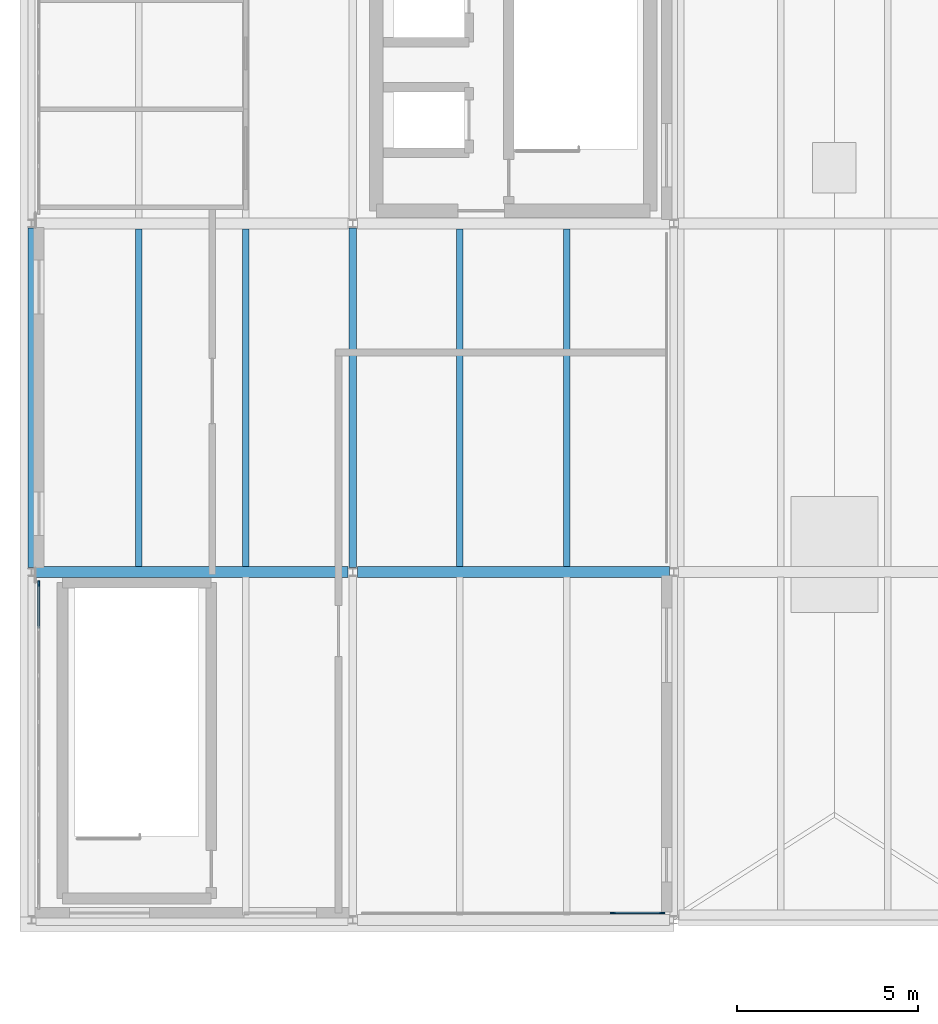
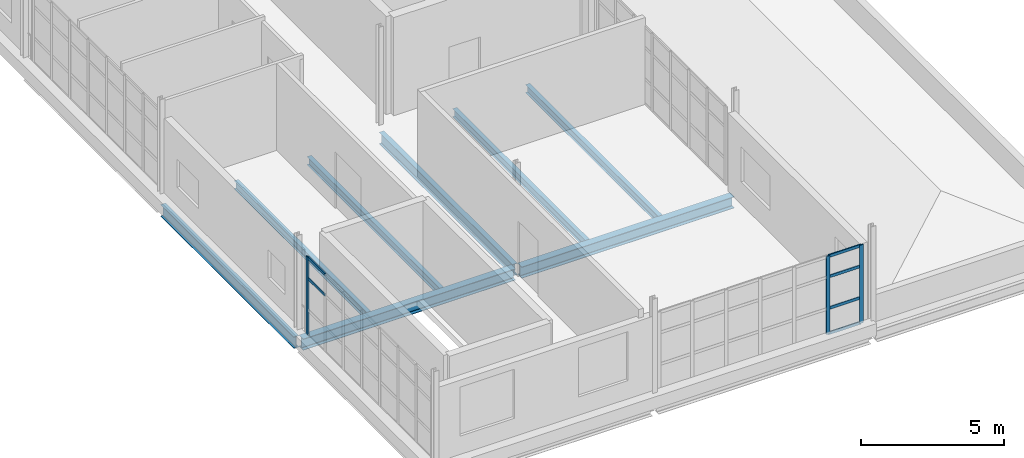
# One storey, part 4 of 16: 9 members, 8 beams, 2 elements without a shape of their own.
"""IFC4 building model written with IfcOpenShell, lengths in metres."""

from ifc_helpers import new_model, si_unit, direction, frame, origin, origin_2d, place, context, subcontext, project, spatial, rectangle, i_section, extrude, material, layer, layer_set, material_profile, profile_set, type_object, element, aggregate, save


model = new_model("IFC4")

# Units and contexts
model_context = context("Model", 3, precision=1e-05, world=origin(), true_north=direction((0.0, 1.0)))
body_context = subcontext(model_context, "Body", "Model", "MODEL_VIEW")
ifc_project = project(units=[si_unit("LENGTHUNIT", "METRE"), si_unit("AREAUNIT", "SQUARE_METRE"), si_unit("VOLUMEUNIT", "CUBIC_METRE"), si_unit("PLANEANGLEUNIT", "RADIAN"), si_unit("MASSUNIT", "GRAM", prefix="KILO")], contexts=[model_context])

# Site, building, storey
site_placement = place(None, origin())
site = spatial("IfcSite", under=ifc_project, at=site_placement, CompositionType="ELEMENT")
building_placement = place(site_placement, origin())
building = spatial("IfcBuilding", under=site, at=building_placement, Name="Yeouljin Market Hall", CompositionType="ELEMENT")
storey_placement = place(building_placement, frame((0.0, 0.0, 19.199951171875)))
storey = spatial("IfcBuildingStorey", under=building, at=storey_placement, Name="L04", CompositionType="ELEMENT", Elevation=19.199951171875)

# Beams
ifc_material_1 = material(Name="Steel SM355", Category="steel")
ifc_material_profile_1 = material_profile(ifc_material_1, i_section(OverallWidth=0.199951171875, OverallDepth=0.5, WebThickness=0.010009765625, FlangeThickness=0.01611328125, FilletRadius=0.02001953125, at=origin_2d()), Name="H-500x200x10x16")
ifc_profile_set_1 = profile_set([ifc_material_profile_1], Name="Steel SM355")
beam_type_1 = type_object("IfcBeamType", Name="Beam_H-500x200x10x16", PredefinedType="BEAM", material=ifc_profile_set_1)
for number, where, z_axis, x_axis, name in (
    (1, (0.0, 9.72509765625, -0.514892578125), (0.0, 1.0, 0.0), (-1.0, 0.0, 0.0), "Primary beam BM-L04-Y028"),
    (2, (8.85009765625, 9.72509765625, -0.514892578125), (0.0, 1.0, 0.0), (-1.0, 0.0, 0.0), "Primary beam BM-L04-Y032"),
):
    element("IfcBeam", number, at=place(storey_placement, frame(where, z_axis=z_axis, x_axis=x_axis)), inside=storey, type_object=beam_type_1, Name=name, PredefinedType="BEAM", context=body_context, shape_type="SweptSolid", body=[
        extrude(i_section(OverallWidth=0.199951171875, OverallDepth=0.5, WebThickness=0.010009765625, FlangeThickness=0.01611328125, FilletRadius=0.02001953125, at=origin_2d()), origin(), (0.0, 0.0, 1.0), 9.349853515625),
    ])

# Curtain wall, members
ifc_material_2 = material(Name="Thermally Broken Aluminium", Category="aluminium")
ifc_layer = layer(ifc_material_2, 0.14990234375)
ifc_layer_set = layer_set([ifc_layer], Name="Thermally Broken Aluminium")
curtain_wall_type = type_object("IfcCurtainWallType", Name="CW_AcademyRibbon_System", PredefinedType="USERDEFINED", material=ifc_layer_set)
curtain_wall_1_placement = place(storey_placement, origin())
curtain_wall_1 = element("IfcCurtainWall", 3, at=curtain_wall_1_placement, inside=storey, type_object=curtain_wall_type, Name="Curtain wall CW-L04-W01", ObjectType="CURTAIN WALL", PredefinedType="USERDEFINED")
ifc_material_3 = material(Name="Thermally Broken Aluminium", Category="aluminium")
ifc_material_profile_2 = material_profile(ifc_material_3, rectangle(XDim=0.048095703125, YDim=0.14990234375, at=origin_2d()), Name="CW-MULL-48x150")
ifc_profile_set_2 = profile_set([ifc_material_profile_2], Name="Thermally Broken Aluminium")
member_type_1 = type_object("IfcMemberType", Name="CWMullion_48x150", PredefinedType="MULLION", material=ifc_profile_set_2)
member_1_placement = place(storey_placement, frame((17.3759765625, 0.199951171875, 0.0), z_axis=(0.0, 0.0, 1.0), x_axis=(0.0, -1.0, 0.0)))
member_1 = element("IfcMember", 4, at=member_1_placement, type_object=member_type_1, Name="CW-05 mullion 1", PredefinedType="MULLION", context=body_context, shape_type="SweptSolid", body=[
    extrude(rectangle(XDim=0.048095703125, YDim=0.14990234375, at=origin_2d()), origin(), (0.0, 0.0, 1.0), 3.35009765625),
])
member_2_placement = place(storey_placement, frame((16.02490234375, 0.199951171875, 0.0), z_axis=(0.0, 0.0, 1.0), x_axis=(0.0, -1.0, 0.0)))
member_2 = element("IfcMember", 5, at=member_2_placement, type_object=member_type_1, Name="CW-05 mullion 2", PredefinedType="MULLION", context=body_context, shape_type="SweptSolid", body=[
    extrude(rectangle(XDim=0.048095703125, YDim=0.14990234375, at=origin_2d()), origin(), (0.0, 0.0, 1.0), 3.35009765625),
])

# Curtain wall, member
curtain_wall_2_placement = place(storey_placement, origin())
curtain_wall_2 = element("IfcCurtainWall", 6, at=curtain_wall_2_placement, inside=storey, type_object=curtain_wall_type, Name="Curtain wall CW-L04-W03", ObjectType="CURTAIN WALL", PredefinedType="USERDEFINED")
member_3_placement = place(storey_placement, frame((0.199951171875, 9.27587890625, 0.0), z_axis=(0.0, 0.0, 1.0), x_axis=(-1.0, 0.0, 0.0)))
member_3 = element("IfcMember", 7, at=member_3_placement, type_object=member_type_1, Name="CW-05 mullion 8", PredefinedType="MULLION", context=body_context, shape_type="SweptSolid", body=[
    extrude(rectangle(XDim=0.048095703125, YDim=0.14990234375, at=origin_2d()), origin(), (0.0, 0.0, 1.0), 3.35009765625),
])

# Member
ifc_material_4 = material(Name="Thermally Broken Aluminium", Category="aluminium")
ifc_material_profile_3 = material_profile(ifc_material_4, rectangle(XDim=0.048095703125, YDim=0.1201171875, at=origin_2d()), Name="CW-TRAN-48x120")
ifc_profile_set_3 = profile_set([ifc_material_profile_3], Name="Thermally Broken Aluminium")
member_type_2 = type_object("IfcMemberType", Name="CWTransom_48x120", PredefinedType="USERDEFINED", material=ifc_profile_set_3)
member_4_placement = place(storey_placement, frame((17.35205078125, 0.199951171875, 0.024169921875), z_axis=(-1.0, 0.0, 0.0), x_axis=(0.0, -1.0, 0.0)))
member_4 = element("IfcMember", 8, at=member_4_placement, type_object=member_type_2, Name="CW-05 transom 1.1", ObjectType="TRANSOM", PredefinedType="USERDEFINED", context=body_context, shape_type="SweptSolid", body=[
    extrude(rectangle(XDim=0.048095703125, YDim=0.1201171875, at=origin_2d()), origin(), (0.0, 0.0, 1.0), 1.302978515625),
])

member_5_placement = place(storey_placement, frame((17.35205078125, 0.199951171875, 1.10009765625), z_axis=(-1.0, 0.0, 0.0), x_axis=(0.0, -1.0, 0.0)))
member_5 = element("IfcMember", 9, at=member_5_placement, type_object=member_type_2, Name="CW-05 transom 1.2", ObjectType="TRANSOM", PredefinedType="USERDEFINED", context=body_context, shape_type="SweptSolid", body=[
    extrude(rectangle(XDim=0.048095703125, YDim=0.1201171875, at=origin_2d()), origin(), (0.0, 0.0, 1.0), 1.302978515625),
])

member_6_placement = place(storey_placement, frame((17.35205078125, 0.199951171875, 2.449951171875), z_axis=(-1.0, 0.0, 0.0), x_axis=(0.0, -1.0, 0.0)))
member_6 = element("IfcMember", 10, at=member_6_placement, type_object=member_type_2, Name="CW-05 transom 1.3", ObjectType="TRANSOM", PredefinedType="USERDEFINED", context=body_context, shape_type="SweptSolid", body=[
    extrude(rectangle(XDim=0.048095703125, YDim=0.1201171875, at=origin_2d()), origin(), (0.0, 0.0, 1.0), 1.302978515625),
])

member_7_placement = place(storey_placement, frame((17.35205078125, 0.199951171875, 3.325927734375), z_axis=(-1.0, 0.0, 0.0), x_axis=(0.0, -1.0, 0.0)))
member_7 = element("IfcMember", 11, at=member_7_placement, type_object=member_type_2, Name="CW-05 transom 1.4", ObjectType="TRANSOM", PredefinedType="USERDEFINED", context=body_context, shape_type="SweptSolid", body=[
    extrude(rectangle(XDim=0.048095703125, YDim=0.1201171875, at=origin_2d()), origin(), (0.0, 0.0, 1.0), 1.302978515625),
])

aggregate(curtain_wall_1, [member_1, member_2, member_4, member_5, member_6, member_7])

member_8_placement = place(storey_placement, frame((0.199951171875, 8.04541015625, 2.449951171875), z_axis=(0.0, 1.0, 0.0), x_axis=(-1.0, 0.0, 0.0)))
member_8 = element("IfcMember", 12, at=member_8_placement, type_object=member_type_2, Name="CW-05 transom 7.3", ObjectType="TRANSOM", PredefinedType="USERDEFINED", context=body_context, shape_type="SweptSolid", body=[
    extrude(rectangle(XDim=0.048095703125, YDim=0.1201171875, at=origin_2d()), origin(), (0.0, 0.0, 1.0), 1.20654296875),
])

member_9_placement = place(storey_placement, frame((0.199951171875, 8.04541015625, 3.325927734375), z_axis=(0.0, 1.0, 0.0), x_axis=(-1.0, 0.0, 0.0)))
member_9 = element("IfcMember", 13, at=member_9_placement, type_object=member_type_2, Name="CW-05 transom 7.4", ObjectType="TRANSOM", PredefinedType="USERDEFINED", context=body_context, shape_type="SweptSolid", body=[
    extrude(rectangle(XDim=0.048095703125, YDim=0.1201171875, at=origin_2d()), origin(), (0.0, 0.0, 1.0), 1.20654296875),
])

aggregate(curtain_wall_2, [member_3, member_8, member_9])

# Beams
ifc_material_5 = material(Name="Steel SM355", Category="steel")
ifc_material_profile_4 = material_profile(ifc_material_5, i_section(OverallWidth=0.300048828125, OverallDepth=0.488037109375, WebThickness=0.010986328125, FlangeThickness=0.01806640625, FilletRadius=0.02197265625, at=origin_2d()), Name="H-488x300x11x18")
ifc_profile_set_4 = profile_set([ifc_material_profile_4], Name="Steel SM355")
beam_type_2 = type_object("IfcBeamType", Name="Girder_H-488x300x11x18", PredefinedType="USERDEFINED", material=ifc_profile_set_4)
beam_1_placement = place(storey_placement, frame((0.125, 9.60009765625, -0.509033203125), z_axis=(1.0, 0.0, 0.0), x_axis=(0.0, 1.0, 0.0)))
element("IfcBeam", 14, at=beam_1_placement, inside=storey, type_object=beam_type_2, Name="Primary girder GRD-L04-X007", ObjectType="GIRDER", PredefinedType="USERDEFINED", context=body_context, shape_type="SweptSolid", body=[
    extrude(i_section(OverallWidth=0.300048828125, OverallDepth=0.488037109375, WebThickness=0.010986328125, FlangeThickness=0.01806640625, FilletRadius=0.02197265625, at=origin_2d()), origin(), (0.0, 0.0, 1.0), 8.60009765625),
])
beam_2_placement = place(storey_placement, frame((8.97509765625, 9.60009765625, -0.52392578125), z_axis=(1.0, 0.0, 0.0), x_axis=(0.0, 1.0, 0.0)))
element("IfcBeam", 15, at=beam_2_placement, inside=storey, type_object=beam_type_2, Name="Primary girder GRD-L04-X008", ObjectType="GIRDER", PredefinedType="USERDEFINED", context=body_context, shape_type="SweptSolid", body=[
    extrude(i_section(OverallWidth=0.300048828125, OverallDepth=0.488037109375, WebThickness=0.010986328125, FlangeThickness=0.01806640625, FilletRadius=0.02197265625, at=origin_2d()), origin(), (0.0, 0.0, 1.0), 8.599853515625),
])
ifc_material_6 = material(Name="Steel SM355", Category="steel")
ifc_material_profile_5 = material_profile(ifc_material_6, i_section(OverallWidth=0.175048828125, OverallDepth=0.35009765625, WebThickness=0.007080078125, FlangeThickness=0.010986328125, FilletRadius=0.013916015625, at=origin_2d()), Name="H-350x175x7x11")
ifc_profile_set_5 = profile_set([ifc_material_profile_5], Name="Steel SM355")
beam_type_3 = type_object("IfcBeamType", Name="Joist_H-350x175x7x11", PredefinedType="JOIST", material=ifc_profile_set_5)
for number, where, z_axis, x_axis, name in (
    (16, (2.949951171875, 9.7470703125, -0.43994140625), (0.0, 1.0, 0.0), (-1.0, 0.0, 0.0), "Secondary floor joist L04-002"),
    (17, (5.89990234375, 9.7470703125, -0.43994140625), (0.0, 1.0, 0.0), (-1.0, 0.0, 0.0), "Secondary floor joist L04-003"),
    (18, (11.800048828125, 9.7470703125, -0.454833984375), (0.0, 1.0, 0.0), (-1.0, 0.0, 0.0), "Secondary floor joist L04-010"),
    (19, (14.75, 9.7470703125, -0.454833984375), (0.0, 1.0, 0.0), (-1.0, 0.0, 0.0), "Secondary floor joist L04-011"),
):
    element("IfcBeam", number, at=place(storey_placement, frame(where, z_axis=z_axis, x_axis=x_axis)), inside=storey, type_object=beam_type_3, Name=name, PredefinedType="JOIST", context=body_context, shape_type="SweptSolid", body=[
        extrude(i_section(OverallWidth=0.175048828125, OverallDepth=0.35009765625, WebThickness=0.007080078125, FlangeThickness=0.010986328125, FilletRadius=0.013916015625, at=origin_2d()), origin(), (0.0, 0.0, 1.0), 9.305908203125),
    ])

save(model, "model.ifc")
